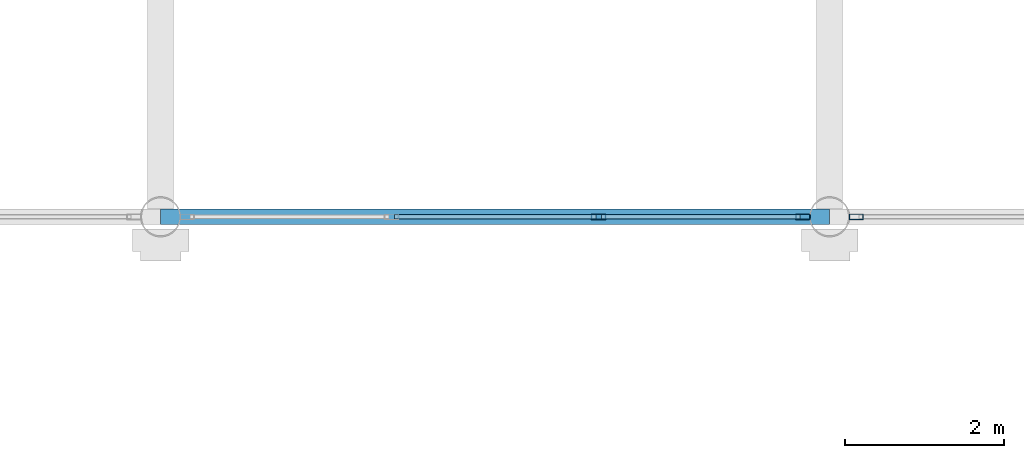
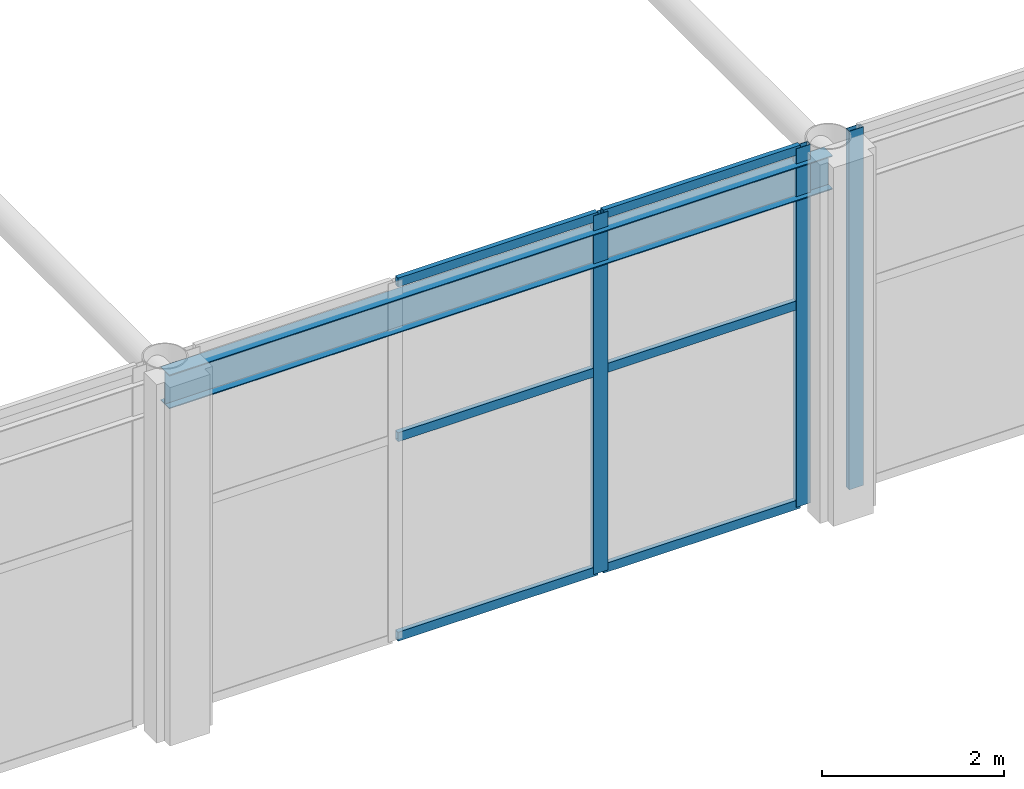
# One storey, part 19 of 167: 9 members, 1 beam, 2 elements without a shape of their own.
"""IFC4 building model written with IfcOpenShell, lengths in metres."""

from ifc_helpers import new_model, si_unit, direction, frame, origin, origin_2d, place, context, subcontext, project, spatial, hollow_rectangle, i_section, extrude, material, material_profile, profile_set, type_object, element, aggregate, save


model = new_model("IFC4")

# Units and contexts
model_context = context("Model", 3, precision=1e-05, world=origin(), true_north=direction((0.0, 1.0)))
body_context = subcontext(model_context, "Body", "Model", "MODEL_VIEW")
ifc_project = project(units=[si_unit("LENGTHUNIT", "METRE"), si_unit("AREAUNIT", "SQUARE_METRE"), si_unit("VOLUMEUNIT", "CUBIC_METRE"), si_unit("PLANEANGLEUNIT", "RADIAN"), si_unit("MASSUNIT", "GRAM", prefix="KILO")], contexts=[model_context])

# Site, building, storey
site_placement = place(None, origin())
site = spatial("IfcSite", under=ifc_project, at=site_placement, CompositionType="ELEMENT")
building_placement = place(site_placement, origin())
building = spatial("IfcBuilding", under=site, at=building_placement, Name="Catenary Quay Ferry Terminal", CompositionType="ELEMENT")
storey_placement = place(building_placement, frame((0.0, 0.0, 6.0)))
storey = spatial("IfcBuildingStorey", under=building, at=storey_placement, Name="L01", CompositionType="ELEMENT", Elevation=6.0)

# Beam
ifc_material_1 = material(Name="Steel S355", Category="steel")
ifc_material_profile_1 = material_profile(ifc_material_1, i_section(OverallWidth=0.18994140625, OverallDepth=0.453369140625, WebThickness=0.008544921875, FlangeThickness=0.0126953125, at=origin_2d()), Name="UB 457x191x67")
ifc_profile_set_1 = profile_set([ifc_material_profile_1], Name="Steel S355")
beam_type = type_object("IfcBeamType", Name="B1 UB 457x191x67", PredefinedType="BEAM", material=ifc_profile_set_1)
beam_placement = place(storey_placement, frame((33.60009765625, 67.199951171875, 4.373046875), z_axis=(1.0, 0.0, 0.0), x_axis=(0.0, 1.0, 0.0)))
element("IfcBeam", 1, at=beam_placement, inside=storey, type_object=beam_type, Name="Beam B1-002", PredefinedType="BEAM", context=body_context, shape_type="SweptSolid", body=[
    extrude(i_section(OverallWidth=0.18994140625, OverallDepth=0.453369140625, WebThickness=0.008544921875, FlangeThickness=0.0126953125, at=origin_2d()), origin(), (0.0, 0.0, 1.0), 8.39990234375),
])

# Curtain wall, members
ifc_material_2 = material(Name="Aluminium and glass", Category="aluminium")
curtain_wall_type = type_object("IfcCurtainWallType", Name="CWH", PredefinedType="NOTDEFINED", material=ifc_material_2)
curtain_wall_1_placement = place(storey_placement, origin())
curtain_wall_1 = element("IfcCurtainWall", 2, at=curtain_wall_1_placement, inside=storey, type_object=curtain_wall_type, Name="Hall curtain wall CW33", PredefinedType="NOTDEFINED")
ifc_material_3 = material(Name="Aluminium", Category="aluminium")
ifc_material_profile_2 = material_profile(ifc_material_3, hollow_rectangle(XDim=0.070068359375, YDim=0.179931640625, WallThickness=0.006103515625, at=origin_2d()), Name="MU3")
ifc_profile_set_2 = profile_set([ifc_material_profile_2], Name="Aluminium")
member_type_1 = type_object("IfcMemberType", Name="MU3", PredefinedType="MULLION", material=ifc_profile_set_2)
member_1_placement = place(storey_placement, frame((39.10009765625, 67.199951171875, 0.0), z_axis=(0.0, 0.0, 1.0), x_axis=(0.0, 1.0, 0.0)))
member_1 = element("IfcMember", 3, at=member_1_placement, type_object=member_type_1, Name="CW33 mullion 3", PredefinedType="MULLION", context=body_context, shape_type="SweptSolid", body=[
    extrude(hollow_rectangle(XDim=0.070068359375, YDim=0.179931640625, WallThickness=0.006103515625, at=origin_2d()), origin(), (0.0, 0.0, 1.0), 4.800048828125),
])
member_2_placement = place(storey_placement, frame((41.6650390625, 67.199951171875, 0.0), z_axis=(0.0, 0.0, 1.0), x_axis=(0.0, 1.0, 0.0)))
member_2 = element("IfcMember", 4, at=member_2_placement, type_object=member_type_1, Name="CW33 mullion 4", PredefinedType="MULLION", context=body_context, shape_type="SweptSolid", body=[
    extrude(hollow_rectangle(XDim=0.070068359375, YDim=0.179931640625, WallThickness=0.006103515625, at=origin_2d()), origin(), (0.0, 0.0, 1.0), 4.800048828125),
])

# Curtain wall, member
curtain_wall_2_placement = place(storey_placement, origin())
curtain_wall_2 = element("IfcCurtainWall", 5, at=curtain_wall_2_placement, inside=storey, type_object=curtain_wall_type, Name="Hall curtain wall CW34", PredefinedType="NOTDEFINED")
member_3_placement = place(storey_placement, frame((42.3349609375, 67.199951171875, 0.0), z_axis=(0.0, 0.0, 1.0), x_axis=(0.0, 1.0, 0.0)))
member_3 = element("IfcMember", 6, at=member_3_placement, type_object=member_type_1, Name="CW34 mullion 1", PredefinedType="MULLION", context=body_context, shape_type="SweptSolid", body=[
    extrude(hollow_rectangle(XDim=0.070068359375, YDim=0.179931640625, WallThickness=0.006103515625, at=origin_2d()), origin(), (0.0, 0.0, 1.0), 4.800048828125),
])
aggregate(curtain_wall_2, [member_3])

# Member
ifc_material_4 = material(Name="Aluminium", Category="aluminium")
ifc_material_profile_3 = material_profile(ifc_material_4, hollow_rectangle(XDim=0.06005859375, YDim=0.1201171875, WallThickness=0.0048828125, at=origin_2d()), Name="TR3")
ifc_profile_set_3 = profile_set([ifc_material_profile_3], Name="Aluminium")
member_type_2 = type_object("IfcMemberType", Name="TR3", PredefinedType="USERDEFINED", material=ifc_profile_set_3)
member_4_placement = place(storey_placement, frame((36.534912109375, 67.199951171875, 0.030029296875), z_axis=(1.0, 0.0, 0.0), x_axis=(0.0, 1.0, 0.0)))
member_4 = element("IfcMember", 7, at=member_4_placement, type_object=member_type_2, Name="CW33 transom 2.1", ObjectType="TRANSOM", PredefinedType="USERDEFINED", context=body_context, shape_type="SweptSolid", body=[
    extrude(hollow_rectangle(XDim=0.06005859375, YDim=0.1201171875, WallThickness=0.0048828125, at=origin_2d()), origin(), (0.0, 0.0, 1.0), 2.530029296875),
])

member_5_placement = place(storey_placement, frame((36.534912109375, 67.199951171875, 2.699951171875), z_axis=(1.0, 0.0, 0.0), x_axis=(0.0, 1.0, 0.0)))
member_5 = element("IfcMember", 8, at=member_5_placement, type_object=member_type_2, Name="CW33 transom 2.2", ObjectType="TRANSOM", PredefinedType="USERDEFINED", context=body_context, shape_type="SweptSolid", body=[
    extrude(hollow_rectangle(XDim=0.06005859375, YDim=0.1201171875, WallThickness=0.0048828125, at=origin_2d()), origin(), (0.0, 0.0, 1.0), 2.530029296875),
])

member_6_placement = place(storey_placement, frame((36.534912109375, 67.199951171875, 4.77001953125), z_axis=(1.0, 0.0, 0.0), x_axis=(0.0, 1.0, 0.0)))
member_6 = element("IfcMember", 9, at=member_6_placement, type_object=member_type_2, Name="CW33 transom 2.3", ObjectType="TRANSOM", PredefinedType="USERDEFINED", context=body_context, shape_type="SweptSolid", body=[
    extrude(hollow_rectangle(XDim=0.06005859375, YDim=0.1201171875, WallThickness=0.0048828125, at=origin_2d()), origin(), (0.0, 0.0, 1.0), 2.530029296875),
])

member_7_placement = place(storey_placement, frame((39.135009765625, 67.199951171875, 0.030029296875), z_axis=(1.0, 0.0, 0.0), x_axis=(0.0, 1.0, 0.0)))
member_7 = element("IfcMember", 10, at=member_7_placement, type_object=member_type_2, Name="CW33 transom 3.1", ObjectType="TRANSOM", PredefinedType="USERDEFINED", context=body_context, shape_type="SweptSolid", body=[
    extrude(hollow_rectangle(XDim=0.06005859375, YDim=0.1201171875, WallThickness=0.0048828125, at=origin_2d()), origin(), (0.0, 0.0, 1.0), 2.494873046875),
])

member_8_placement = place(storey_placement, frame((39.135009765625, 67.199951171875, 2.699951171875), z_axis=(1.0, 0.0, 0.0), x_axis=(0.0, 1.0, 0.0)))
member_8 = element("IfcMember", 11, at=member_8_placement, type_object=member_type_2, Name="CW33 transom 3.2", ObjectType="TRANSOM", PredefinedType="USERDEFINED", context=body_context, shape_type="SweptSolid", body=[
    extrude(hollow_rectangle(XDim=0.06005859375, YDim=0.1201171875, WallThickness=0.0048828125, at=origin_2d()), origin(), (0.0, 0.0, 1.0), 2.494873046875),
])

member_9_placement = place(storey_placement, frame((39.135009765625, 67.199951171875, 4.77001953125), z_axis=(1.0, 0.0, 0.0), x_axis=(0.0, 1.0, 0.0)))
member_9 = element("IfcMember", 12, at=member_9_placement, type_object=member_type_2, Name="CW33 transom 3.3", ObjectType="TRANSOM", PredefinedType="USERDEFINED", context=body_context, shape_type="SweptSolid", body=[
    extrude(hollow_rectangle(XDim=0.06005859375, YDim=0.1201171875, WallThickness=0.0048828125, at=origin_2d()), origin(), (0.0, 0.0, 1.0), 2.494873046875),
])

aggregate(curtain_wall_1, [member_1, member_2, member_4, member_5, member_6, member_7, member_8, member_9])

save(model, "model.ifc")
